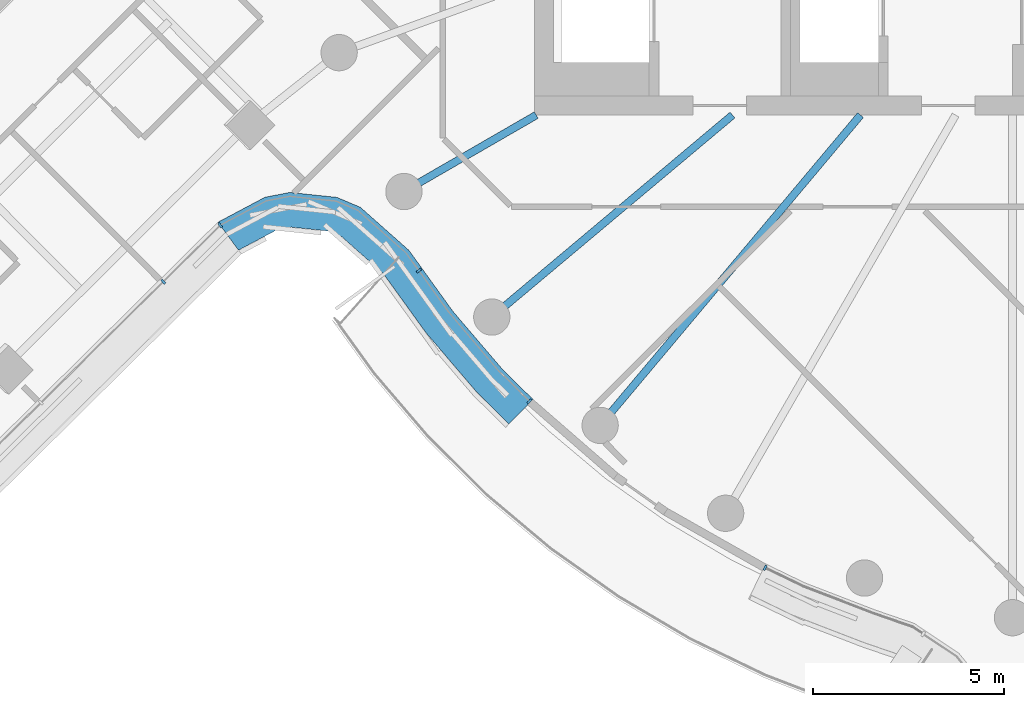
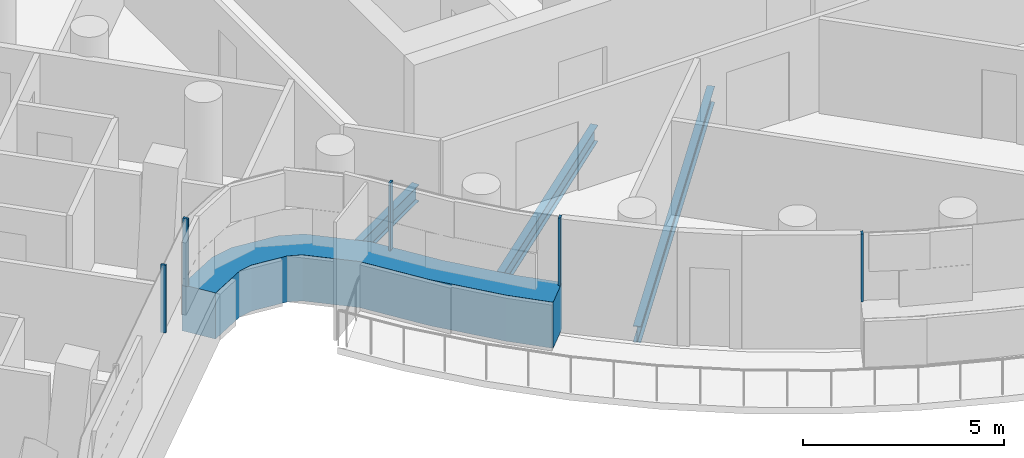
# One storey, part 3 of 31: 6 members, 3 beams, 2 elements without a shape of their own.
"""IFC4 building model written with IfcOpenShell, lengths in metres."""

from ifc_helpers import new_model, si_unit, direction, frame, origin, origin_2d, place, context, subcontext, project, spatial, polyline, rectangle, i_section, outline, extrude, material, layer, layer_set, material_profile, profile_set, type_object, element, aggregate, save


model = new_model("IFC4")

# Units and contexts
model_context = context("Model", 3, precision=1e-05, world=origin(), true_north=direction((0.0, 1.0)))
body_context = subcontext(model_context, "Body", "Model", "MODEL_VIEW")
ifc_project = project(units=[si_unit("LENGTHUNIT", "METRE"), si_unit("AREAUNIT", "SQUARE_METRE"), si_unit("VOLUMEUNIT", "CUBIC_METRE"), si_unit("PLANEANGLEUNIT", "RADIAN"), si_unit("MASSUNIT", "GRAM", prefix="KILO")], contexts=[model_context])

# Site, building, storey
site_placement = place(None, origin())
site = spatial("IfcSite", under=ifc_project, at=site_placement, CompositionType="ELEMENT")
building_placement = place(site_placement, origin())
building = spatial("IfcBuilding", under=site, at=building_placement, Name="Tamarind Cross Interchange Tower", CompositionType="ELEMENT")
storey_placement = place(building_placement, frame((0.0, 0.0, 196.89990234375)))
storey = spatial("IfcBuildingStorey", under=building, at=storey_placement, Name="L49", CompositionType="ELEMENT", Elevation=196.89990234375)

# Beams
ifc_material_1 = material(Name="Steel Q355B", Category="steel")
ifc_material_profile_1 = material_profile(ifc_material_1, i_section(OverallWidth=0.198974609375, OverallDepth=0.49609375, WebThickness=0.009033203125, FlangeThickness=0.013916015625, FilletRadius=0.012939453125, at=origin_2d()), Name="HN 496x199x9x14")
ifc_profile_set_1 = profile_set([ifc_material_profile_1], Name="Steel Q355B")
beam_type = type_object("IfcBeamType", Name="Composite beam HN 496x199x9x14 Q355B", PredefinedType="BEAM", material=ifc_profile_set_1)
beam_1_placement = place(storey_placement, frame((-19.918701171875, -11.5, -0.387939453125), z_axis=(0.866026010844, 0.49999894854, 0.0), x_axis=(-0.49999894854, 0.866026010844, 0.0)))
element("IfcBeam", 1, at=beam_1_placement, inside=storey, type_object=beam_type, Name="Beam HH21", PredefinedType="BEAM", context=body_context, shape_type="SweptSolid", body=[
    extrude(i_section(OverallWidth=0.198974609375, OverallDepth=0.49609375, WebThickness=0.009033203125, FlangeThickness=0.013916015625, FilletRadius=0.012939453125, at=origin_2d()), origin(), (0.0, 0.0, 1.0), 4.0),
])
beam_2_placement = place(storey_placement, frame((-17.619140625, -14.7841796875, -0.387939453125), z_axis=(0.766040580814, 0.642792212574, 0.0), x_axis=(-0.642792212574, 0.766040580814, 0.0)))
element("IfcBeam", 2, at=beam_2_placement, inside=storey, type_object=beam_type, Name="Beam HH22", PredefinedType="BEAM", context=body_context, shape_type="SweptSolid", body=[
    extrude(i_section(OverallWidth=0.198974609375, OverallDepth=0.49609375, WebThickness=0.009033203125, FlangeThickness=0.013916015625, FilletRadius=0.012939453125, at=origin_2d()), origin(), (0.0, 0.0, 1.0), 8.220703125),
])
beam_3_placement = place(storey_placement, frame((-14.7841796875, -17.619140625, -0.387939453125), z_axis=(0.642786293979, 0.766045547127, 0.0), x_axis=(-0.766045547127, 0.642786293979, 0.0)))
element("IfcBeam", 3, at=beam_3_placement, inside=storey, type_object=beam_type, Name="Beam HH23", PredefinedType="BEAM", context=body_context, shape_type="SweptSolid", body=[
    extrude(i_section(OverallWidth=0.198974609375, OverallDepth=0.49609375, WebThickness=0.009033203125, FlangeThickness=0.013916015625, FilletRadius=0.012939453125, at=origin_2d()), origin(), (0.0, 0.0, 1.0), 10.598876953125),
])

# Curtain wall, member
ifc_material_2 = material(Name="Aluminium 6063-T6", Category="aluminium")
ifc_layer = layer(ifc_material_2, 0.139892578125)
ifc_layer_set = layer_set([ifc_layer], Name="Aluminium 6063-T6")
curtain_wall_type = type_object("IfcCurtainWallType", Name="Hotel curtain wall, 4.5 m bays", PredefinedType="NOTDEFINED", material=ifc_layer_set)
curtain_wall_1_placement = place(storey_placement, origin())
curtain_wall_1 = element("IfcCurtainWall", 4, at=curtain_wall_1_placement, inside=storey, type_object=curtain_wall_type, Name="CWS-L49-10", PredefinedType="NOTDEFINED")
ifc_material_3 = material(Name="Aluminium and insulated spandrel panel", Category="aluminium")
member_type_1 = type_object("IfcMemberType", Name="Floor-edge blade transom", PredefinedType="USERDEFINED", material=ifc_material_3)
member_1_placement = place(storey_placement, origin())
member_1 = element("IfcMember", 5, at=member_1_placement, type_object=member_type_1, Name="CWT-L49-10-0", ObjectType="TRANSOM", PredefinedType="USERDEFINED", context=body_context, shape_type="SweptSolid", body=[
    extrude(outline(polyline([(-24.785400390625, -12.302734375), (-23.55517578125, -11.649658203125), (-22.907470703125, -11.523681640625), (-21.6708984375, -11.652587890625), (-21.058837890625, -11.911376953125), (-19.787353515625, -13.03759765625), (-18.636474609375, -14.634521484375), (-17.3642578125, -16.12353515625), (-16.54150390625, -16.939208984375), (-17.170166015625, -17.583251953125), (-18.0244140625, -16.736572265625), (-19.344970703125, -15.19091796875), (-20.458984375, -13.64501953125), (-21.545166015625, -12.682861328125), (-21.897705078125, -12.533935546875), (-22.867431640625, -12.4326171875), (-23.251708984375, -12.50732421875), (-24.246337890625, -13.035400390625), (-24.785400390625, -12.302734375)])), origin(), (0.0, 0.0, 1.0), 1.400146484375),
])

curtain_wall_2_placement = place(storey_placement, origin())
curtain_wall_2 = element("IfcCurtainWall", 6, at=curtain_wall_2_placement, inside=storey, type_object=curtain_wall_type, Name="CWS-L49-09", PredefinedType="NOTDEFINED")
ifc_material_profile_2 = material_profile(ifc_material_2, rectangle(XDim=0.06005859375, YDim=0.139892578125, at=origin_2d()), Name="Mullion CW2")
ifc_profile_set_2 = profile_set([ifc_material_profile_2], Name="Aluminium 6063-T6")
member_type_2 = type_object("IfcMemberType", Name="Mullion CW2", PredefinedType="MULLION", material=ifc_profile_set_2)
member_2_placement = place(storey_placement, frame((-26.214599609375, -13.85791015625, 1.400146484375), z_axis=(0.0, 0.0, 1.0), x_axis=(0.710750718006, 0.703443968525, 0.0)))
member_2 = element("IfcMember", 7, at=member_2_placement, type_object=member_type_2, Name="CWM-L49-09-02", PredefinedType="MULLION", context=body_context, shape_type="SweptSolid", body=[
    extrude(rectangle(XDim=0.06005859375, YDim=0.139892578125, at=origin_2d()), origin(), (0.0, 0.0, 1.0), 2.06005859375),
])
aggregate(curtain_wall_2, [member_2])

# Member
member_3_placement = place(storey_placement, frame((-24.7255859375, -12.384033203125, 1.400146484375), z_axis=(0.0, 0.0, 1.0), x_axis=(0.805571901167, 0.592498027044, 0.0)))
member_3 = element("IfcMember", 8, at=member_3_placement, type_object=member_type_2, Name="CWM-L49-10-00", PredefinedType="MULLION", context=body_context, shape_type="SweptSolid", body=[
    extrude(rectangle(XDim=0.06005859375, YDim=0.139892578125, at=origin_2d()), origin(), (0.0, 0.0, 1.0), 2.06005859375),
])

member_4_placement = place(storey_placement, frame((-19.526611328125, -13.570068359375, 1.400146484375), z_axis=(0.0, 0.0, 1.0), x_axis=(0.584638009293, -0.811294273423, 0.0)))
member_4 = element("IfcMember", 9, at=member_4_placement, type_object=member_type_2, Name="CWM-L49-10-01", PredefinedType="MULLION", context=body_context, shape_type="SweptSolid", body=[
    extrude(rectangle(XDim=0.06005859375, YDim=0.139892578125, at=origin_2d()), origin(), (0.0, 0.0, 1.0), 2.06005859375),
])

member_5_placement = place(storey_placement, frame((-16.63232421875, -16.989990234375, 1.400146484375), z_axis=(0.0, 0.0, 1.0), x_axis=(0.710143317658, -0.704057148523, 0.0)))
member_5 = element("IfcMember", 10, at=member_5_placement, type_object=member_type_2, Name="CWM-L49-10-02", PredefinedType="MULLION", context=body_context, shape_type="SweptSolid", body=[
    extrude(rectangle(XDim=0.06005859375, YDim=0.139892578125, at=origin_2d()), origin(), (0.0, 0.0, 1.0), 2.06005859375),
])

member_6_placement = place(storey_placement, frame((-10.46875, -21.346923828125, 1.400146484375), z_axis=(0.0, 0.0, 1.0), x_axis=(0.900272776334, -0.435326231914, 0.0)))
member_6 = element("IfcMember", 11, at=member_6_placement, type_object=member_type_2, Name="CWM-L49-10-03", PredefinedType="MULLION", context=body_context, shape_type="SweptSolid", body=[
    extrude(rectangle(XDim=0.06005859375, YDim=0.139892578125, at=origin_2d()), origin(), (0.0, 0.0, 1.0), 2.06005859375),
])

aggregate(curtain_wall_1, [member_3, member_4, member_5, member_6, member_1])

save(model, "model.ifc")
